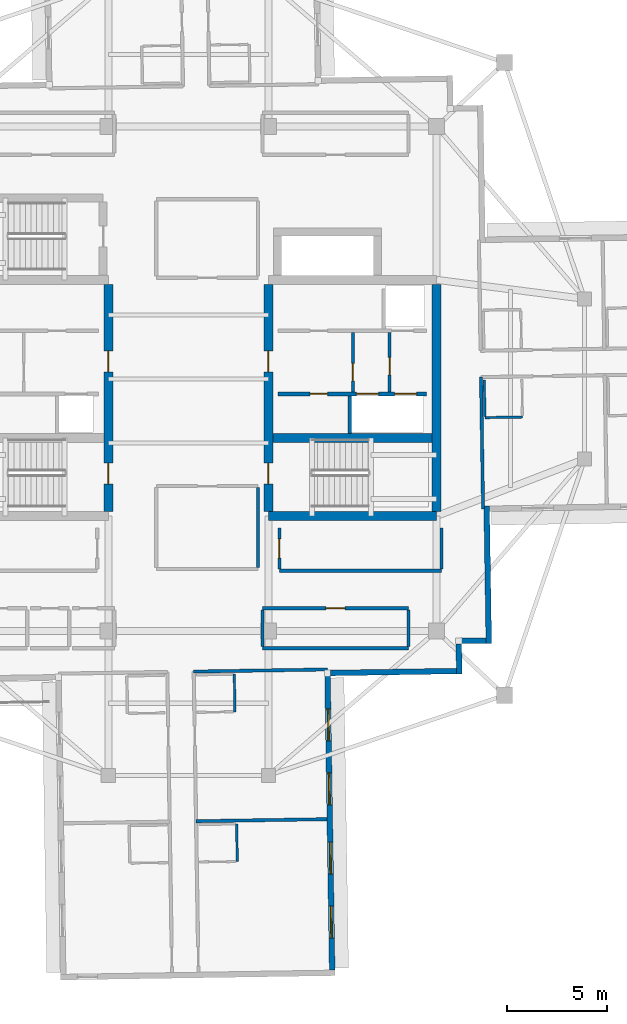
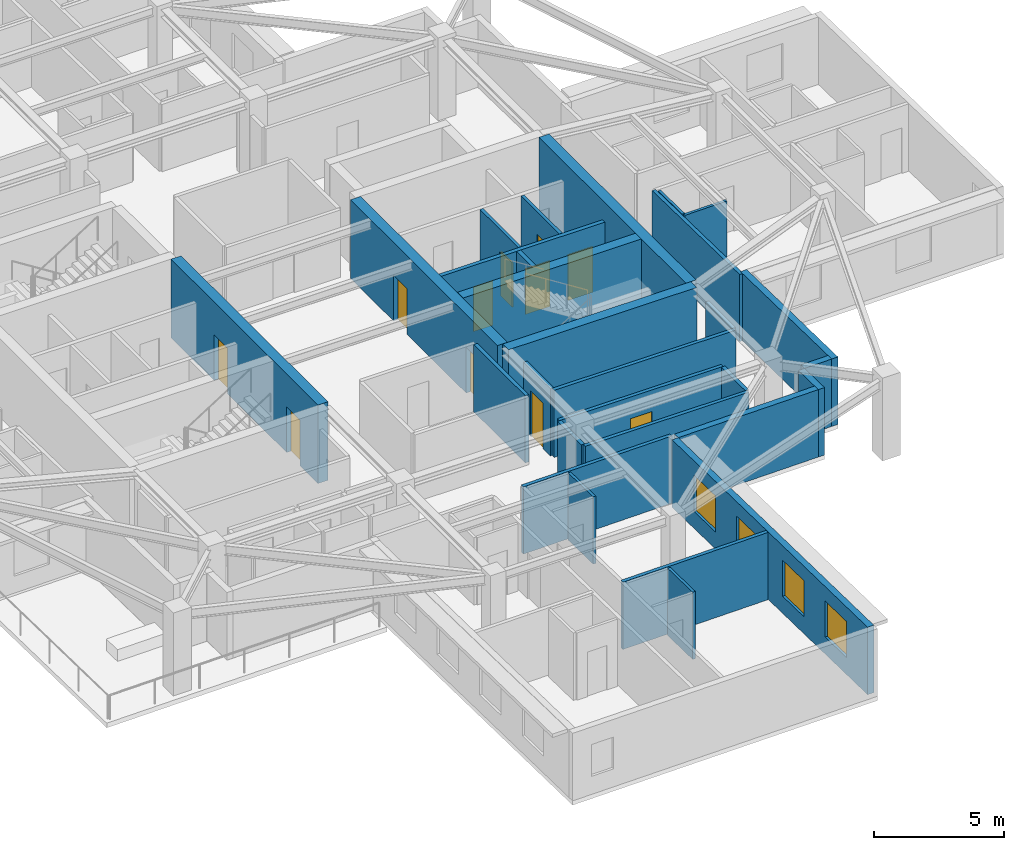
# One storey, part 5 of 12: 29 walls, 11 doors, 4 windows, 15 openings.
"""IFC4 building model written with IfcOpenShell, lengths in metres."""

from ifc_helpers import new_model, si_unit, direction, frame, frame_2d, origin, place, context, subcontext, project, spatial, rectangle, extrude, material, layer, layer_set, type_object, element, fill, save


model = new_model("IFC4")

# Units and contexts
model_context = context("Model", 3, precision=1e-05, world=origin(), true_north=direction((0.0, 1.0)))
body_context = subcontext(model_context, "Body", "Model", "MODEL_VIEW")
ifc_project = project(units=[si_unit("LENGTHUNIT", "METRE"), si_unit("AREAUNIT", "SQUARE_METRE"), si_unit("VOLUMEUNIT", "CUBIC_METRE"), si_unit("PLANEANGLEUNIT", "RADIAN"), si_unit("MASSUNIT", "GRAM", prefix="KILO")], contexts=[model_context])

# Site, building, storey
site_placement = place(None, origin())
site = spatial("IfcSite", under=ifc_project, at=site_placement, CompositionType="ELEMENT")
building_placement = place(site_placement, origin())
building = spatial("IfcBuilding", under=site, at=building_placement, Name="Qingluan Cross Belvedere", CompositionType="ELEMENT")
storey_placement = place(building_placement, frame((0.0, 0.0, 269.39990234375)))
storey = spatial("IfcBuildingStorey", under=building, at=storey_placement, Name="L67", CompositionType="ELEMENT", Elevation=269.39990234375)

# Wall, openings, doors
ifc_material_1 = material(Name="Concrete C50", Category="concrete")
ifc_layer_1 = layer(ifc_material_1, 0.449951171875, Name="CoreShearWall_450")
ifc_layer_set_1 = layer_set([ifc_layer_1], Name="Concrete C50")
wall_type_1 = type_object("IfcWallType", Name="CoreShearWall_450", PredefinedType="SHEAR", material=ifc_layer_set_1)
wall_1_placement = place(storey_placement, frame((-4.0, -6.6201171875, 0.0), z_axis=(0.0, 0.0, 1.0), x_axis=(0.0, 1.0, 0.0)))
wall_1 = element("IfcWall", 1, at=wall_1_placement, inside=storey, type_object=wall_type_1, Name="Split core W shear wall L67-E", PredefinedType="SHEAR", context=body_context, shape_type="SweptSolid", body=[
    extrude(rectangle(XDim=11.340087890625, YDim=0.449951171875, at=frame_2d((5.669921875, 0.0))), origin(), (0.0, 0.0, 1.0), 3.7001953125),
])
opening_1_placement = place(wall_1_placement, frame((1.3701171875, 0.0, 0.0)))
opening_1 = element("IfcOpeningElement", 2, at=opening_1_placement, cuts=wall_1, Name="Opening FD-B11", PredefinedType="OPENING", context=body_context, shape_type="SweptSolid", body=[
    extrude(rectangle(XDim=1.050048828125, YDim=2.14990234375, at=frame_2d((0.52490234375, 1.074951171875))), frame((0.0, 0.23486328125, 0.0), z_axis=(0.0, -1.0, 0.0), x_axis=(1.0, 0.0, 0.0)), (0.0, 0.0, 1.0), 0.469970703125),
])
opening_2_placement = place(wall_1_placement, frame((6.969970703125, 0.0, 0.0)))
opening_2 = element("IfcOpeningElement", 3, at=opening_2_placement, cuts=wall_1, Name="Opening FD-B11", PredefinedType="OPENING", context=body_context, shape_type="SweptSolid", body=[
    extrude(rectangle(XDim=1.050048828125, YDim=2.14990234375, at=frame_2d((0.52490234375, 1.074951171875))), frame((0.0, 0.23486328125, 0.0), z_axis=(0.0, -1.0, 0.0), x_axis=(1.0, 0.0, 0.0)), (0.0, 0.0, 1.0), 0.469970703125),
])
ifc_material_2 = material(Name="Steel Class B smoke-seal fire door", Category="steel")
door_type_1 = type_object("IfcDoorType", Name="StairLobbyFireDoor_FDB", OperationType="NOTDEFINED", PredefinedType="DOOR", material=ifc_material_2)
door_1_placement = place(opening_1_placement, origin())
door_1 = element("IfcDoor", 4, at=door_1_placement, inside=storey, type_object=door_type_1, Name="Smoke-proof stair ST1 fire door L67", OperationType="SINGLE_SWING_LEFT", OverallHeight=2.14990234375, OverallWidth=1.050048828125, PredefinedType="DOOR", context=body_context, shape_type="SweptSolid", body=[
    extrude(rectangle(XDim=1.050048828125, YDim=2.14990234375, at=frame_2d((0.52490234375, 1.074951171875))), frame((0.0, 0.02490234375, 0.0), z_axis=(0.0, -1.0, 0.0), x_axis=(1.0, 0.0, 0.0)), (0.0, 0.0, 1.0), 0.050048828125),
])
fill(opening_1, door_1)
door_2_placement = place(opening_2_placement, origin())
door_2 = element("IfcDoor", 5, at=door_2_placement, inside=storey, type_object=door_type_1, Name="Firefighting lobby West fire door L67", OperationType="SINGLE_SWING_LEFT", OverallHeight=2.14990234375, OverallWidth=1.050048828125, PredefinedType="DOOR", context=body_context, shape_type="SweptSolid", body=[
    extrude(rectangle(XDim=1.050048828125, YDim=2.14990234375, at=frame_2d((0.52490234375, 1.074951171875))), frame((0.0, 0.02490234375, 0.0), z_axis=(0.0, -1.0, 0.0), x_axis=(1.0, 0.0, 0.0)), (0.0, 0.0, 1.0), 0.050048828125),
])
fill(opening_2, door_2)

# Wall
wall_2_placement = place(storey_placement, frame((4.0, -6.85009765625, 0.0), z_axis=(0.0, 0.0, 1.0), x_axis=(1.0, 0.0, 0.0)))
element("IfcWall", 6, at=wall_2_placement, inside=storey, type_object=wall_type_1, Name="Split core E shear wall L67-S", PredefinedType="SHEAR", context=body_context, shape_type="SweptSolid", body=[
    extrude(rectangle(XDim=8.39990234375, YDim=0.449951171875, at=frame_2d((4.199951171875, 0.0))), origin(), (0.0, 0.0, 1.0), 3.7001953125),
])

# Wall, openings, doors
wall_3_placement = place(storey_placement, frame((4.0, -6.6201171875, 0.0), z_axis=(0.0, 0.0, 1.0), x_axis=(0.0, 1.0, 0.0)))
wall_3 = element("IfcWall", 7, at=wall_3_placement, inside=storey, type_object=wall_type_1, Name="Split core E shear wall L67-W", PredefinedType="SHEAR", context=body_context, shape_type="SweptSolid", body=[
    extrude(rectangle(XDim=11.340087890625, YDim=0.449951171875, at=frame_2d((5.669921875, 0.0))), origin(), (0.0, 0.0, 1.0), 3.7001953125),
])
opening_3_placement = place(wall_3_placement, frame((1.3701171875, 0.0, 0.0)))
opening_3 = element("IfcOpeningElement", 8, at=opening_3_placement, cuts=wall_3, Name="Opening FD-B11", PredefinedType="OPENING", context=body_context, shape_type="SweptSolid", body=[
    extrude(rectangle(XDim=1.050048828125, YDim=2.14990234375, at=frame_2d((0.52490234375, 1.074951171875))), frame((0.0, 0.23486328125, 0.0), z_axis=(0.0, -1.0, 0.0), x_axis=(1.0, 0.0, 0.0)), (0.0, 0.0, 1.0), 0.469970703125),
])
opening_4_placement = place(wall_3_placement, frame((6.969970703125, 0.0, 0.0)))
opening_4 = element("IfcOpeningElement", 9, at=opening_4_placement, cuts=wall_3, Name="Opening FD-B11", PredefinedType="OPENING", context=body_context, shape_type="SweptSolid", body=[
    extrude(rectangle(XDim=1.050048828125, YDim=2.14990234375, at=frame_2d((0.52490234375, 1.074951171875))), frame((0.0, 0.23486328125, 0.0), z_axis=(0.0, -1.0, 0.0), x_axis=(1.0, 0.0, 0.0)), (0.0, 0.0, 1.0), 0.469970703125),
])
door_3_placement = place(opening_3_placement, origin())
door_3 = element("IfcDoor", 10, at=door_3_placement, inside=storey, type_object=door_type_1, Name="Smoke-proof stair ST2 fire door L67", OperationType="SINGLE_SWING_RIGHT", OverallHeight=2.14990234375, OverallWidth=1.050048828125, PredefinedType="DOOR", context=body_context, shape_type="SweptSolid", body=[
    extrude(rectangle(XDim=1.050048828125, YDim=2.14990234375, at=frame_2d((0.52490234375, 1.074951171875))), frame((0.0, 0.02490234375, 0.0), z_axis=(0.0, -1.0, 0.0), x_axis=(1.0, 0.0, 0.0)), (0.0, 0.0, 1.0), 0.050048828125),
])
fill(opening_3, door_3)
door_4_placement = place(opening_4_placement, origin())
door_4 = element("IfcDoor", 11, at=door_4_placement, inside=storey, type_object=door_type_1, Name="Firefighting lobby East fire door L67", OperationType="SINGLE_SWING_RIGHT", OverallHeight=2.14990234375, OverallWidth=1.050048828125, PredefinedType="DOOR", context=body_context, shape_type="SweptSolid", body=[
    extrude(rectangle(XDim=1.050048828125, YDim=2.14990234375, at=frame_2d((0.52490234375, 1.074951171875))), frame((0.0, 0.02490234375, 0.0), z_axis=(0.0, -1.0, 0.0), x_axis=(1.0, 0.0, 0.0)), (0.0, 0.0, 1.0), 0.050048828125),
])
fill(opening_4, door_4)

# Walls
wall_4_placement = place(storey_placement, frame((12.39990234375, -6.6201171875, 0.0), z_axis=(0.0, 0.0, 1.0), x_axis=(0.0, 1.0, 0.0)))
element("IfcWall", 12, at=wall_4_placement, inside=storey, type_object=wall_type_1, Name="Split core E shear wall L67-E", PredefinedType="SHEAR", context=body_context, shape_type="SweptSolid", body=[
    extrude(rectangle(XDim=11.340087890625, YDim=0.449951171875, at=frame_2d((5.669921875, 0.0))), origin(), (0.0, 0.0, 1.0), 3.7001953125),
])
wall_5_placement = place(storey_placement, frame((4.22998046875, -2.9599609375, 0.0), z_axis=(0.0, 0.0, 1.0), x_axis=(1.0, 0.0, 0.0)))
element("IfcWall", 13, at=wall_5_placement, inside=storey, type_object=wall_type_1, Name="Split core E shear wall L67-M", PredefinedType="SHEAR", context=body_context, shape_type="SweptSolid", body=[
    extrude(rectangle(XDim=7.93994140625, YDim=0.449951171875, at=frame_2d((3.969970703125, 0.0))), origin(), (0.0, 0.0, 1.0), 3.7001953125),
])

# Wall, opening, door
ifc_material_3 = material(Name="Gypsum plasterboard on steel stud acoustic partition", Category="steel")
ifc_layer_2 = layer(ifc_material_3, 0.159912109375, Name="CorridorPartition_160")
ifc_layer_set_2 = layer_set([ifc_layer_2], Name="Gypsum plasterboard on steel stud acoustic partition")
wall_type_2 = type_object("IfcWallType", Name="CorridorPartition_160", PredefinedType="PARTITIONING", material=ifc_layer_set_2)
wall_6_placement = place(storey_placement, frame((10.050048828125, -0.652099609375, 0.0), z_axis=(0.0, 0.0, 1.0), x_axis=(0.0, 1.0, 0.0)))
wall_6 = element("IfcWall", 14, at=wall_6_placement, inside=storey, type_object=wall_type_2, Name="Partition L67:ev", PredefinedType="PARTITIONING", context=body_context, shape_type="SweptSolid", body=[
    extrude(rectangle(XDim=2.962158203125, YDim=0.139892578125, at=frame_2d((1.48095703125, 0.0))), origin(), (0.0, 0.0, 1.0), 3.170166015625),
])
opening_5_placement = place(wall_6_placement, frame((0.85009765625, 0.0, 0.0)))
opening_5 = element("IfcOpeningElement", 15, at=opening_5_placement, cuts=wall_6, Name="Opening FD-B10", PredefinedType="OPENING", context=body_context, shape_type="SweptSolid", body=[
    extrude(rectangle(XDim=0.8798828125, YDim=2.10009765625, at=frame_2d((0.43994140625, 1.050048828125))), frame((0.0, 0.079833984375, 0.0), z_axis=(0.0, -1.0, 0.0), x_axis=(1.0, 0.0, 0.0)), (0.0, 0.0, 1.0), 0.159912109375),
])
ifc_material_4 = material(Name="Steel Class B service fire door", Category="steel")
door_type_2 = type_object("IfcDoorType", Name="RiserServiceFireDoor_FDB", OperationType="NOTDEFINED", PredefinedType="DOOR", material=ifc_material_4)
door_5_placement = place(opening_5_placement, origin())
door_5 = element("IfcDoor", 16, at=door_5_placement, inside=storey, type_object=door_type_2, Name="Service closet inner door L67", OperationType="SINGLE_SWING_LEFT", OverallHeight=2.10009765625, OverallWidth=0.8798828125, PredefinedType="DOOR", context=body_context, shape_type="SweptSolid", body=[
    extrude(rectangle(XDim=0.8798828125, YDim=2.10009765625, at=frame_2d((0.43994140625, 1.050048828125))), frame((0.0, 0.02490234375, 0.0), z_axis=(0.0, -1.0, 0.0), x_axis=(1.0, 0.0, 0.0)), (0.0, 0.0, 1.0), 0.050048828125),
])
fill(opening_5, door_5)

# Wall
wall_7_placement = place(storey_placement, frame((3.699951171875, -13.449951171875, 0.0), z_axis=(0.0, 0.0, 1.0), x_axis=(1.0, 0.0, 0.0)))
element("IfcWall", 17, at=wall_7_placement, inside=storey, type_object=wall_type_2, Name="Partition L67:q_se:S", PredefinedType="PARTITIONING", context=body_context, shape_type="SweptSolid", body=[
    extrude(rectangle(XDim=7.300048828125, YDim=0.159912109375, at=frame_2d((3.64990234375, 0.0))), origin(), (0.0, 0.0, 1.0), 3.170166015625),
])

# Wall, opening, door
wall_8_placement = place(storey_placement, frame((3.699951171875, -11.449951171875, 0.0), z_axis=(0.0, 0.0, 1.0), x_axis=(1.0, 0.0, 0.0)))
wall_8 = element("IfcWall", 18, at=wall_8_placement, inside=storey, type_object=wall_type_2, Name="Partition L67:q_se:N", PredefinedType="PARTITIONING", context=body_context, shape_type="SweptSolid", body=[
    extrude(rectangle(XDim=7.300048828125, YDim=0.159912109375, at=frame_2d((3.64990234375, 0.0))), origin(), (0.0, 0.0, 1.0), 3.170166015625),
])
opening_6_placement = place(wall_8_placement, frame((3.169921875, 0.0, 0.0)))
opening_6 = element("IfcOpeningElement", 19, at=opening_6_placement, cuts=wall_8, Name="Opening GD-10", PredefinedType="OPENING", context=body_context, shape_type="SweptSolid", body=[
    extrude(rectangle(XDim=0.9599609375, YDim=2.14990234375, at=frame_2d((0.47998046875, 1.074951171875))), frame((0.0, 0.08984375, 0.0), z_axis=(0.0, -1.0, 0.0), x_axis=(1.0, 0.0, 0.0)), (0.0, 0.0, 1.0), 0.179931640625),
])
ifc_material_5 = material(Name="Timber oak fire-rated acoustic guestroom door", Category="wood")
door_type_3 = type_object("IfcDoorType", Name="GuestEntryDoor_FD60", OperationType="NOTDEFINED", PredefinedType="DOOR", material=ifc_material_5)
door_6_placement = place(opening_6_placement, origin())
door_6 = element("IfcDoor", 20, at=door_6_placement, inside=storey, type_object=door_type_3, Name="Artisan pantry L67 door", OperationType="SINGLE_SWING_RIGHT", OverallHeight=2.14990234375, OverallWidth=0.9599609375, PredefinedType="DOOR", context=body_context, shape_type="SweptSolid", body=[
    extrude(rectangle(XDim=0.9599609375, YDim=2.14990234375, at=frame_2d((0.47998046875, 1.074951171875))), frame((0.0, 0.02490234375, 0.0), z_axis=(0.0, -1.0, 0.0), x_axis=(1.0, 0.0, 0.0)), (0.0, 0.0, 1.0), 0.050048828125),
])
fill(opening_6, door_6)

# Walls
for number, where, z_axis, x_axis, name in (
    (21, (3.699951171875, -13.364990234375, 0.0), (0.0, 0.0, 1.0), (0.0, 1.0, 0.0), "Partition L67:q_se:W"),
    (22, (11.0, -13.364990234375, 0.0), (0.0, 0.0, 1.0), (0.0, 1.0, 0.0), "Partition L67:q_se:E"),
):
    element("IfcWall", number, at=place(storey_placement, frame(where, z_axis=z_axis, x_axis=x_axis)), inside=storey, type_object=wall_type_2, Name=name, PredefinedType="PARTITIONING", context=body_context, shape_type="SweptSolid", body=[
        extrude(rectangle(XDim=1.830078125, YDim=0.159912109375, at=frame_2d((0.9150390625, 0.0))), origin(), (0.0, 0.0, 1.0), 3.170166015625),
    ])
wall_9_placement = place(storey_placement, frame((3.47998046875, -9.4150390625, 0.0), z_axis=(0.0, 0.0, 1.0), x_axis=(0.0, 1.0, 0.0)))
element("IfcWall", 23, at=wall_9_placement, inside=storey, type_object=wall_type_2, Name="Partition L67:sky_south_alcove:E", PredefinedType="PARTITIONING", context=body_context, shape_type="SweptSolid", body=[
    extrude(rectangle(XDim=3.97998046875, YDim=0.159912109375, at=frame_2d((1.989990234375, 0.0))), origin(), (0.0, 0.0, 1.0), 3.170166015625),
])
wall_10_placement = place(storey_placement, frame((4.550048828125, -9.580078125, 0.0), z_axis=(0.0, 0.0, 1.0), x_axis=(1.0, 0.0, 0.0)))
element("IfcWall", 24, at=wall_10_placement, inside=storey, type_object=wall_type_2, Name="Partition L67:rec_st4:S", PredefinedType="PARTITIONING", context=body_context, shape_type="SweptSolid", body=[
    extrude(rectangle(XDim=8.099853515625, YDim=0.159912109375, at=frame_2d((4.0498046875, 0.0))), origin(), (0.0, 0.0, 1.0), 3.170166015625),
])

# Wall, opening, door
wall_11_placement = place(storey_placement, frame((4.550048828125, -9.4951171875, 0.0), z_axis=(0.0, 0.0, 1.0), x_axis=(0.0, 1.0, 0.0)))
wall_11 = element("IfcWall", 25, at=wall_11_placement, inside=storey, type_object=wall_type_2, Name="Partition L67:rec_st4:W", PredefinedType="PARTITIONING", context=body_context, shape_type="SweptSolid", body=[
    extrude(rectangle(XDim=2.06005859375, YDim=0.159912109375, at=frame_2d((1.030029296875, 0.0))), origin(), (0.0, 0.0, 1.0), 3.170166015625),
])
opening_7_placement = place(wall_11_placement, frame((0.550048828125, 0.0, 0.0)))
opening_7 = element("IfcOpeningElement", 26, at=opening_7_placement, cuts=wall_11, Name="Opening GD-10", PredefinedType="OPENING", context=body_context, shape_type="SweptSolid", body=[
    extrude(rectangle(XDim=0.9599609375, YDim=2.14990234375, at=frame_2d((0.47998046875, 1.074951171875))), frame((0.0, 0.08984375, 0.0), z_axis=(0.0, -1.0, 0.0), x_axis=(1.0, 0.0, 0.0)), (0.0, 0.0, 1.0), 0.179931640625),
])
door_7_placement = place(opening_7_placement, origin())
door_7 = element("IfcDoor", 27, at=door_7_placement, inside=storey, type_object=door_type_3, Name="Southeast club library room L67 door", OperationType="SINGLE_SWING_RIGHT", OverallHeight=2.14990234375, OverallWidth=0.9599609375, PredefinedType="DOOR", context=body_context, shape_type="SweptSolid", body=[
    extrude(rectangle(XDim=0.9599609375, YDim=2.14990234375, at=frame_2d((0.47998046875, 1.074951171875))), frame((0.0, 0.02490234375, 0.0), z_axis=(0.0, -1.0, 0.0), x_axis=(1.0, 0.0, 0.0)), (0.0, 0.0, 1.0), 0.050048828125),
])
fill(opening_7, door_7)

# Walls
wall_12_placement = place(storey_placement, frame((12.64990234375, -9.4951171875, 0.0), z_axis=(0.0, 0.0, 1.0), x_axis=(0.0, 1.0, 0.0)))
element("IfcWall", 28, at=wall_12_placement, inside=storey, type_object=wall_type_2, Name="Partition L67:rec_st4:E", PredefinedType="PARTITIONING", context=body_context, shape_type="SweptSolid", body=[
    extrude(rectangle(XDim=2.06005859375, YDim=0.159912109375, at=frame_2d((1.030029296875, 0.0))), origin(), (0.0, 0.0, 1.0), 3.170166015625),
])
wall_13_placement = place(storey_placement, frame((14.620361328125, 0.089599609375, 0.0), z_axis=(0.0, 0.0, 1.0), x_axis=(0.015694964287, -0.999876826462, 0.0)))
element("IfcWall", 29, at=wall_13_placement, inside=storey, type_object=wall_type_2, Name="Partition L67:E:s1", PredefinedType="PARTITIONING", context=body_context, shape_type="SweptSolid", body=[
    extrude(rectangle(XDim=6.579833984375, YDim=0.159912109375, at=frame_2d((3.2900390625, 0.0))), origin(), (0.0, 0.0, 1.0), 3.170166015625),
])
wall_14_placement = place(storey_placement, frame((0.26953125, -14.61767578125, 0.0), z_axis=(0.0, 0.0, 1.0), x_axis=(0.999876502613, 0.015715582138, 0.0)))
element("IfcWall", 30, at=wall_14_placement, inside=storey, type_object=wall_type_2, Name="Partition L67:S:s0", PredefinedType="PARTITIONING", context=body_context, shape_type="SweptSolid", body=[
    extrude(rectangle(XDim=6.679931640625, YDim=0.159912109375, at=frame_2d((3.33984375, 0.0))), origin(), (0.0, 0.0, 1.0), 3.170166015625),
])
wall_15_placement = place(storey_placement, frame((0.38720703125, -22.093505859375, 0.0), z_axis=(0.0, 0.0, 1.0), x_axis=(0.999876772323, 0.015698412933, 0.0)))
element("IfcWall", 31, at=wall_15_placement, inside=storey, type_object=wall_type_2, Name="Partition L67:S:d0_0", PredefinedType="PARTITIONING", context=body_context, shape_type="SweptSolid", body=[
    extrude(rectangle(XDim=6.53173828125, YDim=0.159912109375, at=frame_2d((3.265869140625, 0.0))), origin(), (0.0, 0.0, 1.0), 3.170166015625),
])
ifc_material_6 = material(Name="Moisture-resistant gypsum board lining")
ifc_layer_3 = layer(ifc_material_6, 0.1201171875, Name="EnsuiteWetPartition_120")
ifc_layer_set_3 = layer_set([ifc_layer_3], Name="Moisture-resistant gypsum board lining")
wall_type_3 = type_object("IfcWallType", Name="EnsuiteWetPartition_120", PredefinedType="PARTITIONING", material=ifc_layer_set_3)
wall_16_placement = place(storey_placement, frame((14.811279296875, -1.86767578125, 0.0), z_axis=(0.0, 0.0, 1.0), x_axis=(-0.015694337248, 0.999876836305, 0.0)))
element("IfcWall", 32, at=wall_16_placement, inside=storey, type_object=wall_type_3, Name="Partition L67:E:bw1_0", PredefinedType="PARTITIONING", context=body_context, shape_type="SweptSolid", body=[
    extrude(rectangle(XDim=1.820068359375, YDim=0.1201171875, at=frame_2d((0.91015625, 0.0))), origin(), (0.0, 0.0, 1.0), 3.170166015625),
])
wall_17_placement = place(storey_placement, frame((14.812255859375, -1.9326171875, 0.0), z_axis=(0.0, 0.0, 1.0), x_axis=(0.99987652141, 0.015714386166, 0.0)))
element("IfcWall", 33, at=wall_17_placement, inside=storey, type_object=wall_type_3, Name="Partition L67:E:bc1_0", PredefinedType="PARTITIONING", context=body_context, shape_type="SweptSolid", body=[
    extrude(rectangle(XDim=1.8798828125, YDim=0.1201171875, at=frame_2d((0.93994140625, 0.0))), origin(), (0.0, 0.0, 1.0), 3.170166015625),
])
for number, where, z_axis, x_axis, name in (
    (34, (2.296875, -14.74560546875, 0.0), (0.0, 0.0, 1.0), (0.01571234584, -0.999876553475, 0.0), "Partition L67:S:bn0_0"),
    (35, (2.414306640625, -22.2216796875, 0.0), (0.0, 0.0, 1.0), (0.01571234584, -0.999876553475, 0.0), "Partition L67:S:bn0_1"),
):
    element("IfcWall", number, at=place(storey_placement, frame(where, z_axis=z_axis, x_axis=x_axis)), inside=storey, type_object=wall_type_3, Name=name, PredefinedType="PARTITIONING", context=body_context, shape_type="SweptSolid", body=[
        extrude(rectangle(XDim=1.880126953125, YDim=0.1201171875, at=frame_2d((0.93994140625, 0.0))), origin(), (0.0, 0.0, 1.0), 3.170166015625),
    ])

# Wall, openings, windows
ifc_material_7 = material(Name="Precast concrete C45", Category="concrete")
ifc_layer_4 = layer(ifc_material_7, 0.280029296875, Name="PrecastFacadeWall_280")
ifc_layer_set_4 = layer_set([ifc_layer_4], Name="Precast concrete C45")
wall_type_4 = type_object("IfcWallType", Name="PrecastFacadeWall_280", PredefinedType="STANDARD", material=ifc_layer_set_4)
wall_18_placement = place(storey_placement, frame((7.184814453125, -29.53076171875, 0.0), z_axis=(0.0, 0.0, 1.0), x_axis=(-0.015711302158, 0.999876569875, 0.0)))
wall_18 = element("IfcWall", 36, at=wall_18_placement, inside=storey, type_object=wall_type_4, Name="Facade wall L67-SB", PredefinedType="STANDARD", context=body_context, shape_type="SweptSolid", body=[
    extrude(rectangle(XDim=14.699951171875, YDim=0.280029296875, at=frame_2d((7.35009765625, 0.0))), origin(), (0.0, 0.0, 1.0), 3.18017578125),
])
opening_8_placement = place(wall_18_placement, frame((1.60009765625, 0.0, 0.800048828125)))
opening_8 = element("IfcOpeningElement", 37, at=opening_8_placement, cuts=wall_18, Name="Opening W-04", PredefinedType="OPENING", context=body_context, shape_type="SweptSolid", body=[
    extrude(rectangle(XDim=1.60009765625, YDim=1.699951171875, at=frame_2d((0.800048828125, 0.85009765625))), frame((0.0, 0.14990234375, 0.0), z_axis=(0.0, -1.0, 0.0), x_axis=(1.0, 0.0, 0.0)), (0.0, 0.0, 1.0), 0.300048828125),
])
opening_9_placement = place(wall_18_placement, frame((4.800048828125, 0.0, 0.800048828125)))
opening_9 = element("IfcOpeningElement", 38, at=opening_9_placement, cuts=wall_18, Name="Opening W-04", PredefinedType="OPENING", context=body_context, shape_type="SweptSolid", body=[
    extrude(rectangle(XDim=1.60009765625, YDim=1.699951171875, at=frame_2d((0.800048828125, 0.85009765625))), frame((0.0, 0.14990234375, 0.0), z_axis=(0.0, -1.0, 0.0), x_axis=(1.0, 0.0, 0.0)), (0.0, 0.0, 1.0), 0.300048828125),
])
opening_10_placement = place(wall_18_placement, frame((8.25, 0.0, 0.800048828125)))
opening_10 = element("IfcOpeningElement", 39, at=opening_10_placement, cuts=wall_18, Name="Opening W-04", PredefinedType="OPENING", context=body_context, shape_type="SweptSolid", body=[
    extrude(rectangle(XDim=1.60009765625, YDim=1.699951171875, at=frame_2d((0.800048828125, 0.85009765625))), frame((0.0, 0.14990234375, 0.0), z_axis=(0.0, -1.0, 0.0), x_axis=(1.0, 0.0, 0.0)), (0.0, 0.0, 1.0), 0.300048828125),
])
opening_11_placement = place(wall_18_placement, frame((11.449951171875, 0.0, 0.800048828125)))
opening_11 = element("IfcOpeningElement", 40, at=opening_11_placement, cuts=wall_18, Name="Opening W-04", PredefinedType="OPENING", context=body_context, shape_type="SweptSolid", body=[
    extrude(rectangle(XDim=1.60009765625, YDim=1.699951171875, at=frame_2d((0.800048828125, 0.85009765625))), frame((0.0, 0.14990234375, 0.0), z_axis=(0.0, -1.0, 0.0), x_axis=(1.0, 0.0, 0.0)), (0.0, 0.0, 1.0), 0.300048828125),
])
ifc_material_8 = material(Name="Thermally broken triple Low-E glass in aluminium frame", Category="aluminium")
window_type = type_object("IfcWindowType", Name="SuiteCornerWin_1600x1700", PartitioningType="SINGLE_PANEL", PredefinedType="WINDOW", material=ifc_material_8)
window_1_placement = place(opening_8_placement, origin())
window_1 = element("IfcWindow", 41, at=window_1_placement, inside=storey, type_object=window_type, Name="Ribbon window L67-SB-1", OverallHeight=1.699951171875, OverallWidth=1.60009765625, PartitioningType="SINGLE_PANEL", PredefinedType="WINDOW", context=body_context, shape_type="SweptSolid", body=[
    extrude(rectangle(XDim=1.60009765625, YDim=1.699951171875, at=frame_2d((0.800048828125, 0.85009765625))), frame((0.0, 0.030029296875, 0.0), z_axis=(0.0, -1.0, 0.0), x_axis=(1.0, 0.0, 0.0)), (0.0, 0.0, 1.0), 0.06005859375),
])
fill(opening_8, window_1)
window_2_placement = place(opening_9_placement, origin())
window_2 = element("IfcWindow", 42, at=window_2_placement, inside=storey, type_object=window_type, Name="Ribbon window L67-SB-2", OverallHeight=1.699951171875, OverallWidth=1.60009765625, PartitioningType="SINGLE_PANEL", PredefinedType="WINDOW", context=body_context, shape_type="SweptSolid", body=[
    extrude(rectangle(XDim=1.60009765625, YDim=1.699951171875, at=frame_2d((0.800048828125, 0.85009765625))), frame((0.0, 0.030029296875, 0.0), z_axis=(0.0, -1.0, 0.0), x_axis=(1.0, 0.0, 0.0)), (0.0, 0.0, 1.0), 0.06005859375),
])
fill(opening_9, window_2)
window_3_placement = place(opening_10_placement, origin())
window_3 = element("IfcWindow", 43, at=window_3_placement, inside=storey, type_object=window_type, Name="Ribbon window L67-SB-3", OverallHeight=1.699951171875, OverallWidth=1.60009765625, PartitioningType="SINGLE_PANEL", PredefinedType="WINDOW", context=body_context, shape_type="SweptSolid", body=[
    extrude(rectangle(XDim=1.60009765625, YDim=1.699951171875, at=frame_2d((0.800048828125, 0.85009765625))), frame((0.0, 0.030029296875, 0.0), z_axis=(0.0, -1.0, 0.0), x_axis=(1.0, 0.0, 0.0)), (0.0, 0.0, 1.0), 0.06005859375),
])
fill(opening_10, window_3)
window_4_placement = place(opening_11_placement, origin())
window_4 = element("IfcWindow", 44, at=window_4_placement, inside=storey, type_object=window_type, Name="Ribbon window L67-SB-4", OverallHeight=1.699951171875, OverallWidth=1.60009765625, PartitioningType="SINGLE_PANEL", PredefinedType="WINDOW", context=body_context, shape_type="SweptSolid", body=[
    extrude(rectangle(XDim=1.60009765625, YDim=1.699951171875, at=frame_2d((0.800048828125, 0.85009765625))), frame((0.0, 0.030029296875, 0.0), z_axis=(0.0, -1.0, 0.0), x_axis=(1.0, 0.0, 0.0)), (0.0, 0.0, 1.0), 0.06005859375),
])
fill(opening_11, window_4)

# Walls
wall_19_placement = place(storey_placement, frame((14.901611328125, -6.3466796875, 0.0), z_axis=(0.0, 0.0, 1.0), x_axis=(0.015694809807, -0.999876828887, 0.0)))
element("IfcWall", 45, at=wall_19_placement, inside=storey, type_object=wall_type_4, Name="Corner wall L67-SE1", PredefinedType="STANDARD", context=body_context, shape_type="SweptSolid", body=[
    extrude(rectangle(XDim=6.85986328125, YDim=0.280029296875, at=frame_2d((3.429931640625, 0.0))), origin(), (0.0, 0.0, 1.0), 3.18017578125),
])
wall_20_placement = place(storey_placement, frame((14.8671875, -13.068115234375, 0.0), z_axis=(0.0, 0.0, 1.0), x_axis=(-0.999875053502, -0.015807510352, 0.0)))
element("IfcWall", 46, at=wall_20_placement, inside=storey, type_object=wall_type_4, Name="Corner wall L67-SE2", PredefinedType="STANDARD", context=body_context, shape_type="SweptSolid", body=[
    extrude(rectangle(XDim=1.22021484375, YDim=0.280029296875, at=frame_2d((0.610107421875, 0.0))), origin(), (0.0, 0.0, 1.0), 3.18017578125),
])
wall_21_placement = place(storey_placement, frame((13.509521484375, -13.2294921875, 0.0), z_axis=(0.0, 0.0, 1.0), x_axis=(0.015625635615, -0.999877912303, 0.0)))
element("IfcWall", 47, at=wall_21_placement, inside=storey, type_object=wall_type_4, Name="Corner wall L67-SE3", PredefinedType="STANDARD", context=body_context, shape_type="SweptSolid", body=[
    extrude(rectangle(XDim=1.5, YDim=0.280029296875, at=frame_2d((0.75, 0.0))), origin(), (0.0, 0.0, 1.0), 3.18017578125),
])
wall_22_placement = place(storey_placement, frame((13.390869140625, -14.591552734375, 0.0), z_axis=(0.0, 0.0, 1.0), x_axis=(-0.999876833368, -0.015694524359, 0.0)))
element("IfcWall", 48, at=wall_22_placement, inside=storey, type_object=wall_type_4, Name="Corner wall L67-SE4", PredefinedType="STANDARD", context=body_context, shape_type="SweptSolid", body=[
    extrude(rectangle(XDim=6.300048828125, YDim=0.280029296875, at=frame_2d((3.14990234375, 0.0))), origin(), (0.0, 0.0, 1.0), 3.18017578125),
])

# Wall, openings, doors
ifc_material_9 = material(Name="Concrete C40", Category="concrete")
ifc_layer_5 = layer(ifc_material_9, 0.219970703125, Name="ShaftEnclosureWall_250")
ifc_layer_set_5 = layer_set([ifc_layer_5], Name="Concrete C40")
wall_type_5 = type_object("IfcWallType", Name="ShaftEnclosureWall_250", PredefinedType="SOLIDWALL", material=ifc_layer_set_5)
wall_23_placement = place(storey_placement, frame((4.47998046875, -0.75, 0.0), z_axis=(0.0, 0.0, 1.0), x_axis=(1.0, 0.0, 0.0)))
wall_23 = element("IfcWall", 49, at=wall_23_placement, inside=storey, type_object=wall_type_5, Name="Core-E mid hoistway wall L67", PredefinedType="SOLIDWALL", context=body_context, shape_type="SweptSolid", body=[
    extrude(rectangle(XDim=7.419921875, YDim=0.179931640625, at=frame_2d((3.7099609375, 0.0))), origin(), (0.0, 0.0, 1.0), 3.170166015625),
])
opening_12_placement = place(wall_23_placement, frame((3.919921875, 0.0, 0.0)))
opening_12 = element("IfcOpeningElement", 50, at=opening_12_placement, cuts=wall_23, Name="Opening LD-11", PredefinedType="OPENING", context=body_context, shape_type="SweptSolid", body=[
    extrude(rectangle(XDim=1.10009765625, YDim=2.14990234375, at=frame_2d((0.550048828125, 1.074951171875))), frame((0.0, 0.099853515625, 0.0), z_axis=(0.0, -1.0, 0.0), x_axis=(1.0, 0.0, 0.0)), (0.0, 0.0, 1.0), 0.199951171875),
])
opening_13_placement = place(wall_23_placement, frame((5.820068359375, 0.0, 0.0)))
opening_13 = element("IfcOpeningElement", 51, at=opening_13_placement, cuts=wall_23, Name="Opening LD-11", PredefinedType="OPENING", context=body_context, shape_type="SweptSolid", body=[
    extrude(rectangle(XDim=1.10009765625, YDim=2.14990234375, at=frame_2d((0.550048828125, 1.074951171875))), frame((0.0, 0.099853515625, 0.0), z_axis=(0.0, -1.0, 0.0), x_axis=(1.0, 0.0, 0.0)), (0.0, 0.0, 1.0), 0.199951171875),
])
opening_14_placement = place(wall_23_placement, frame((1.60009765625, 0.0, 0.0)))
opening_14 = element("IfcOpeningElement", 52, at=opening_14_placement, cuts=wall_23, Name="Opening FD-B10", PredefinedType="OPENING", context=body_context, shape_type="SweptSolid", body=[
    extrude(rectangle(XDim=0.8798828125, YDim=2.10009765625, at=frame_2d((0.43994140625, 1.050048828125))), frame((0.0, 0.099853515625, 0.0), z_axis=(0.0, -1.0, 0.0), x_axis=(1.0, 0.0, 0.0)), (0.0, 0.0, 1.0), 0.199951171875),
])
ifc_material_10 = material(Name="Brushed stainless steel centre-opening lift landing door", Category="steel")
door_type_4 = type_object("IfcDoorType", Name="LiftLandingSlidingDoor_1100", OperationType="DOUBLE_DOOR_SLIDING", PredefinedType="DOOR", material=ifc_material_10)
door_8_placement = place(opening_12_placement, origin())
door_8 = element("IfcDoor", 53, at=door_8_placement, inside=storey, type_object=door_type_4, Name="Lift landing sliding door LP9 L67", OperationType="DOUBLE_DOOR_SLIDING", OverallHeight=2.14990234375, OverallWidth=1.10009765625, PredefinedType="DOOR", context=body_context, shape_type="SweptSolid", body=[
    extrude(rectangle(XDim=1.10009765625, YDim=2.14990234375, at=frame_2d((0.550048828125, 1.074951171875))), frame((0.0, 0.02490234375, 0.0), z_axis=(0.0, -1.0, 0.0), x_axis=(1.0, 0.0, 0.0)), (0.0, 0.0, 1.0), 0.050048828125),
])
fill(opening_12, door_8)
door_9_placement = place(opening_13_placement, origin())
door_9 = element("IfcDoor", 54, at=door_9_placement, inside=storey, type_object=door_type_4, Name="Lift landing sliding door LP10 L67", OperationType="DOUBLE_DOOR_SLIDING", OverallHeight=2.14990234375, OverallWidth=1.10009765625, PredefinedType="DOOR", context=body_context, shape_type="SweptSolid", body=[
    extrude(rectangle(XDim=1.10009765625, YDim=2.14990234375, at=frame_2d((0.550048828125, 1.074951171875))), frame((0.0, 0.02490234375, 0.0), z_axis=(0.0, -1.0, 0.0), x_axis=(1.0, 0.0, 0.0)), (0.0, 0.0, 1.0), 0.050048828125),
])
fill(opening_13, door_9)
door_10_placement = place(opening_14_placement, origin())
door_10 = element("IfcDoor", 55, at=door_10_placement, inside=storey, type_object=door_type_2, Name="Upper-zone linen store door L67", OperationType="SINGLE_SWING_LEFT", OverallHeight=2.10009765625, OverallWidth=0.8798828125, PredefinedType="DOOR", context=body_context, shape_type="SweptSolid", body=[
    extrude(rectangle(XDim=0.8798828125, YDim=2.10009765625, at=frame_2d((0.43994140625, 1.050048828125))), frame((0.0, 0.02490234375, 0.0), z_axis=(0.0, -1.0, 0.0), x_axis=(1.0, 0.0, 0.0)), (0.0, 0.0, 1.0), 0.050048828125),
])
fill(opening_14, door_10)

# Wall
wall_24_placement = place(storey_placement, frame((8.06005859375, -2.72998046875, 0.0), z_axis=(0.0, 0.0, 1.0), x_axis=(0.0, 1.0, 0.0)))
element("IfcWall", 56, at=wall_24_placement, inside=storey, type_object=wall_type_5, Name="Hoistway enclosure divider LP9W L67", PredefinedType="SOLIDWALL", context=body_context, shape_type="SweptSolid", body=[
    extrude(rectangle(XDim=1.889892578125, YDim=0.179931640625, at=frame_2d((0.94482421875, 0.0))), origin(), (0.0, 0.0, 1.0), 3.170166015625),
])

# Wall, opening, door
wall_25_placement = place(storey_placement, frame((8.219970703125, -0.64990234375, 0.0), z_axis=(0.0, 0.0, 1.0), x_axis=(0.0, 1.0, 0.0)))
wall_25 = element("IfcWall", 57, at=wall_25_placement, inside=storey, type_object=wall_type_5, Name="Core-E service corridor wall L67", PredefinedType="SOLIDWALL", context=body_context, shape_type="SweptSolid", body=[
    extrude(rectangle(XDim=2.9599609375, YDim=0.139892578125, at=frame_2d((1.47998046875, 0.0))), origin(), (0.0, 0.0, 1.0), 3.170166015625),
])
opening_15_placement = place(wall_25_placement, frame((0.550048828125, 0.0, 0.0)))
opening_15 = element("IfcOpeningElement", 58, at=opening_15_placement, cuts=wall_25, Name="Opening FD-B10", PredefinedType="OPENING", context=body_context, shape_type="SweptSolid", body=[
    extrude(rectangle(XDim=0.8798828125, YDim=2.10009765625, at=frame_2d((0.43994140625, 1.050048828125))), frame((0.0, 0.079833984375, 0.0), z_axis=(0.0, -1.0, 0.0), x_axis=(1.0, 0.0, 0.0)), (0.0, 0.0, 1.0), 0.159912109375),
])
door_11_placement = place(opening_15_placement, origin())
door_11 = element("IfcDoor", 59, at=door_11_placement, inside=storey, type_object=door_type_2, Name="Core-E service room door L67", OperationType="SINGLE_SWING_LEFT", OverallHeight=2.10009765625, OverallWidth=0.8798828125, PredefinedType="DOOR", context=body_context, shape_type="SweptSolid", body=[
    extrude(rectangle(XDim=0.8798828125, YDim=2.10009765625, at=frame_2d((0.43994140625, 1.050048828125))), frame((0.0, 0.02490234375, 0.0), z_axis=(0.0, -1.0, 0.0), x_axis=(1.0, 0.0, 0.0)), (0.0, 0.0, 1.0), 0.050048828125),
])
fill(opening_15, door_11)

save(model, "model.ifc")
